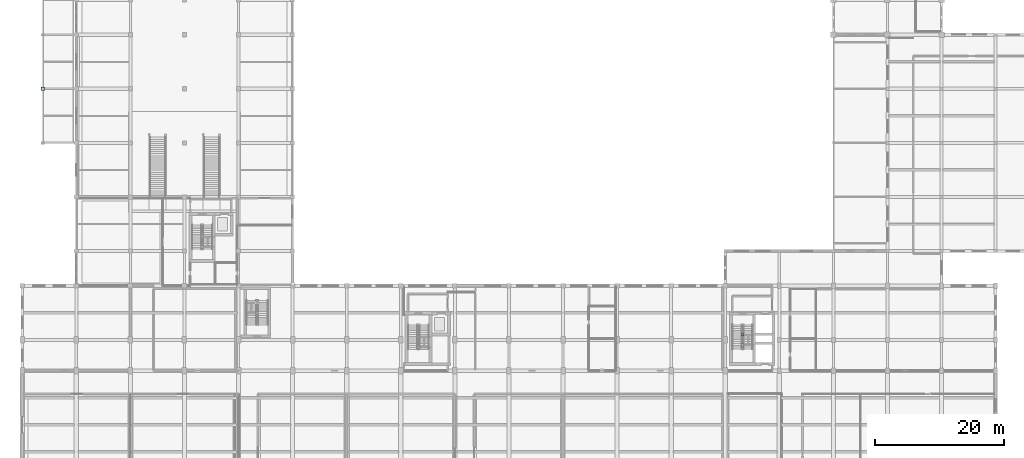
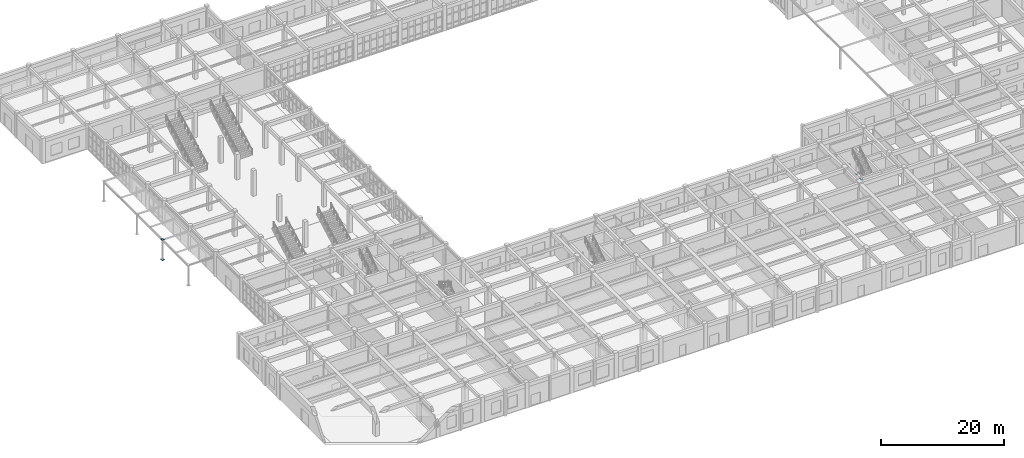
# One storey, part 52 of 80: 4 plates.
"""IFC4 building model written with IfcOpenShell, lengths in metres."""

from ifc_helpers import new_model, si_unit, direction, frame, origin, origin_2d, place, context, subcontext, project, spatial, rectangle, extrude, material, layer, layer_set, type_object, element, save


model = new_model("IFC4")

# Units and contexts
model_context = context("Model", 3, precision=1e-05, world=origin(), true_north=direction((0.0, 1.0)))
body_context = subcontext(model_context, "Body", "Model", "MODEL_VIEW")
ifc_project = project(units=[si_unit("LENGTHUNIT", "METRE"), si_unit("AREAUNIT", "SQUARE_METRE"), si_unit("VOLUMEUNIT", "CUBIC_METRE"), si_unit("PLANEANGLEUNIT", "RADIAN"), si_unit("MASSUNIT", "GRAM", prefix="KILO")], contexts=[model_context])

# Site, building, storey
site_placement = place(None, origin())
site = spatial("IfcSite", under=ifc_project, at=site_placement, CompositionType="ELEMENT")
building_placement = place(site_placement, origin())
building = spatial("IfcBuilding", under=site, at=building_placement, Name="Krzemoval Escarpment Law Courts", CompositionType="ELEMENT")
storey_placement = place(building_placement, origin())
storey = spatial("IfcBuildingStorey", under=building, at=storey_placement, Name="L00", CompositionType="ELEMENT", Elevation=0.0)

# Plates
ifc_material_1 = material(Name="Steel S355", Category="steel")
ifc_layer_1 = layer(ifc_material_1, 0.02392578125)
ifc_layer_set_1 = layer_set([ifc_layer_1], Name="Steel S355")
plate_type_1 = type_object("IfcPlateType", Name="PLT-FLG-24", PredefinedType="USERDEFINED", material=ifc_layer_set_1)
plate_1_placement = place(storey_placement, frame((111.89990234375, 27.820068359375, 2.108154296875), z_axis=(0.0, 0.0, 1.0), x_axis=(1.0, 0.0, 0.0)))
element("IfcPlate", 1, at=plate_1_placement, inside=storey, type_object=plate_type_1, Name="Gusset and End-Cap Plate ECP-0387", ObjectType="FLANGE_PLATE", PredefinedType="USERDEFINED", context=body_context, shape_type="SweptSolid", body=[
    extrude(rectangle(XDim=0.419921875, YDim=0.419921875, at=origin_2d()), origin(), (0.0, 0.0, 1.0), 0.02392578125),
])
ifc_material_2 = material(Name="Steel S355", Category="steel")
ifc_layer_2 = layer(ifc_material_2, 0.034912109375)
ifc_layer_set_2 = layer_set([ifc_layer_2], Name="Steel S355")
plate_type_2 = type_object("IfcPlateType", Name="PLT-FLG-35", PredefinedType="USERDEFINED", material=ifc_layer_set_2)
for number, where, z_axis, x_axis, name in (
    (2, (3.199951171875, 66.0, 4.00244140625), (0.0, 0.0, 1.0), (1.0, 0.0, 0.0), "Gusset and End-Cap Plate ECP-0029"),
    (3, (111.89990234375, 26.219970703125, 2.1025390625), (0.0, 0.0, 1.0), (1.0, 0.0, 0.0), "Gusset and End-Cap Plate ECP-0386"),
):
    element("IfcPlate", number, at=place(storey_placement, frame(where, z_axis=z_axis, x_axis=x_axis)), inside=storey, type_object=plate_type_2, Name=name, ObjectType="FLANGE_PLATE", PredefinedType="USERDEFINED", context=body_context, shape_type="SweptSolid", body=[
        extrude(rectangle(XDim=0.4599609375, YDim=0.4599609375, at=origin_2d()), origin(), (0.0, 0.0, 1.0), 0.034912109375),
    ])
ifc_material_3 = material(Name="Steel S355", Category="steel")
ifc_layer_3 = layer(ifc_material_3, 0.0400390625)
ifc_layer_set_3 = layer_set([ifc_layer_3], Name="Steel S355")
plate_type_3 = type_object("IfcPlateType", Name="PLT-FLG-40", PredefinedType="USERDEFINED", material=ifc_layer_set_3)
plate_2_placement = place(storey_placement, frame((3.199951171875, 66.0, -0.02001953125), z_axis=(0.0, 0.0, 1.0), x_axis=(1.0, 0.0, 0.0)))
element("IfcPlate", 4, at=plate_2_placement, inside=storey, type_object=plate_type_3, Name="Gusset and End-Cap Plate ECP-0028", ObjectType="FLANGE_PLATE", PredefinedType="USERDEFINED", context=body_context, shape_type="SweptSolid", body=[
    extrude(rectangle(XDim=0.5, YDim=0.5, at=origin_2d()), origin(), (0.0, 0.0, 1.0), 0.0400390625),
])

save(model, "model.ifc")
